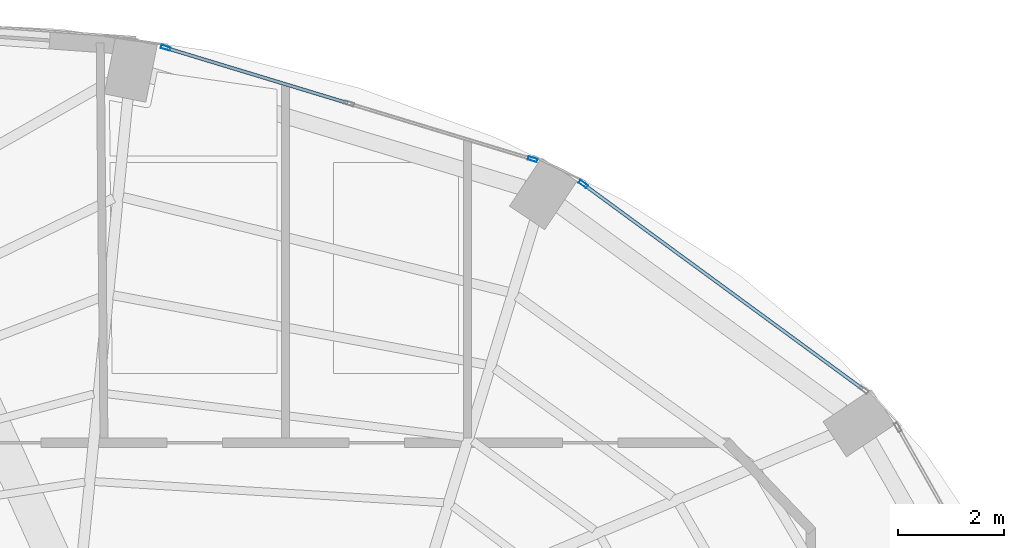
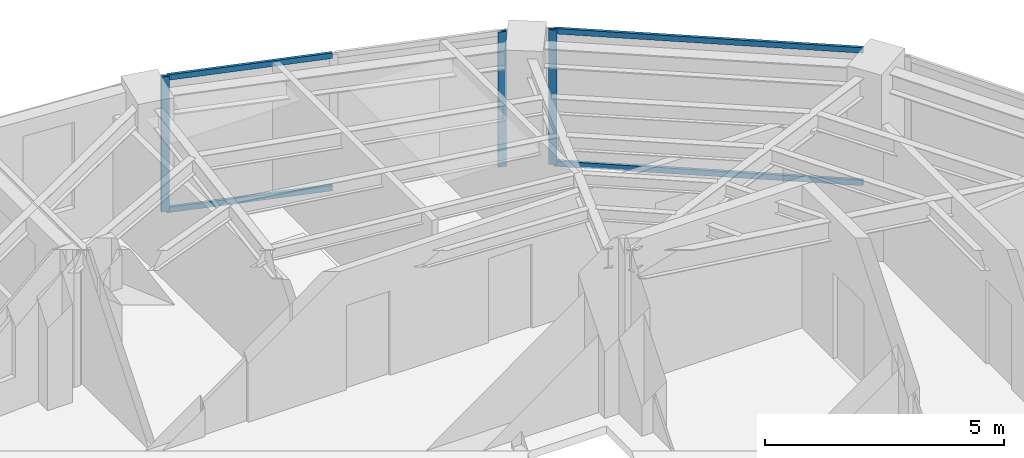
# One storey, part 15 of 21: 7 members, 2 elements without a shape of their own.
"""IFC4 building model written with IfcOpenShell, lengths in metres."""

from ifc_helpers import new_model, si_unit, direction, frame, origin, origin_2d, place, context, subcontext, project, spatial, hollow_rectangle, extrude, material, layer, layer_set, material_profile, profile_set, type_object, element, aggregate, save


model = new_model("IFC4")

# Units and contexts
model_context = context("Model", 3, precision=1e-05, world=origin(), true_north=direction((0.0, 1.0)))
body_context = subcontext(model_context, "Body", "Model", "MODEL_VIEW")
ifc_project = project(units=[si_unit("LENGTHUNIT", "METRE"), si_unit("AREAUNIT", "SQUARE_METRE"), si_unit("VOLUMEUNIT", "CUBIC_METRE"), si_unit("PLANEANGLEUNIT", "RADIAN"), si_unit("MASSUNIT", "GRAM", prefix="KILO")], contexts=[model_context])

# Site, building, storey
site_placement = place(None, origin())
site = spatial("IfcSite", under=ifc_project, at=site_placement, CompositionType="ELEMENT")
building_placement = place(site_placement, origin())
building = spatial("IfcBuilding", under=site, at=building_placement, Name="Lazwardi Medical Tower", CompositionType="ELEMENT")
storey_placement = place(building_placement, frame((0.0, 0.0, 220.367919921875)))
storey = spatial("IfcBuildingStorey", under=building, at=storey_placement, Name="L57", CompositionType="ELEMENT", Elevation=220.367919921875)

# Curtain wall, member
ifc_material_1 = material(Name="Anodised bronze aluminium and solar control glazing", Category="aluminium")
ifc_layer = layer(ifc_material_1, 0.18994140625)
ifc_layer_set = layer_set([ifc_layer], Name="Anodised bronze aluminium and solar control glazing")
curtain_wall_type = type_object("IfcCurtainWallType", Name="CW-SYS-04", PredefinedType="NOTDEFINED", material=ifc_layer_set)
curtain_wall_1_placement = place(storey_placement, origin())
curtain_wall_1 = element("IfcCurtainWall", 1, at=curtain_wall_1_placement, inside=storey, type_object=curtain_wall_type, Name="L57 Unitised bronze curtain wall CW-04", PredefinedType="NOTDEFINED")
ifc_material_2 = material(Name="Anodised bronze aluminium", Category="aluminium")
ifc_material_profile_1 = material_profile(ifc_material_2, hollow_rectangle(XDim=0.06494140625, YDim=0.179931640625, WallThickness=0.00390625, at=origin_2d()), Name="ALU-MULLION 180x65x4")
ifc_profile_set_1 = profile_set([ifc_material_profile_1], Name="Anodised bronze aluminium")
member_type_1 = type_object("IfcMemberType", Name="CW-MUL-03", PredefinedType="MULLION", material=ifc_profile_set_1)
member_1_placement = place(storey_placement, frame((48.75537109375, 43.634765625, 0.0), z_axis=(0.0, 0.0, 1.0), x_axis=(-0.591268230971, -0.806474971121, 0.0)))
member_1 = element("IfcMember", 2, at=member_1_placement, type_object=member_type_1, Name="CW-04 mullion 2", PredefinedType="MULLION", context=body_context, shape_type="SweptSolid", body=[
    extrude(hollow_rectangle(XDim=0.06494140625, YDim=0.179931640625, WallThickness=0.00390625, at=origin_2d()), origin(), (0.0, 0.0, 1.0), 3.447998046875),
])

# Curtain wall, members
curtain_wall_2_placement = place(storey_placement, origin())
curtain_wall_2 = element("IfcCurtainWall", 3, at=curtain_wall_2_placement, inside=storey, type_object=curtain_wall_type, Name="L57 Unitised bronze curtain wall CW-04", PredefinedType="NOTDEFINED")
member_2_placement = place(storey_placement, frame((47.7998046875, 44.103515625, 0.0), z_axis=(0.0, 0.0, 1.0), x_axis=(-0.290581889515, -0.956850126972, 0.0)))
member_2 = element("IfcMember", 4, at=member_2_placement, type_object=member_type_1, Name="CW-04 mullion 1", PredefinedType="MULLION", context=body_context, shape_type="SweptSolid", body=[
    extrude(hollow_rectangle(XDim=0.06494140625, YDim=0.179931640625, WallThickness=0.00390625, at=origin_2d()), origin(), (0.0, 0.0, 1.0), 3.447998046875),
])
member_3_placement = place(storey_placement, frame((40.873046875, 46.20703125, 0.0), z_axis=(0.0, 0.0, 1.0), x_axis=(-0.290581889515, -0.956850126972, 0.0)))
member_3 = element("IfcMember", 5, at=member_3_placement, type_object=member_type_1, Name="CW-04 mullion 3", PredefinedType="MULLION", context=body_context, shape_type="SweptSolid", body=[
    extrude(hollow_rectangle(XDim=0.06494140625, YDim=0.179931640625, WallThickness=0.00390625, at=origin_2d()), origin(), (0.0, 0.0, 1.0), 3.447998046875),
])

# Member
ifc_material_profile_2 = material_profile(ifc_material_2, hollow_rectangle(XDim=0.06494140625, YDim=0.139892578125, WallThickness=0.00341796875, at=origin_2d()), Name="ALU-TRANSOM 140x65x3.5")
ifc_profile_set_2 = profile_set([ifc_material_profile_2], Name="Anodised bronze aluminium")
member_type_2 = type_object("IfcMemberType", Name="CW-TRN-03", PredefinedType="USERDEFINED", material=ifc_profile_set_2)
member_4_placement = place(storey_placement, frame((54.02587890625, 39.770751953125, 0.032470703125), z_axis=(-0.806471831148, 0.591272513791, 0.0), x_axis=(-0.591272513791, -0.806471831148, 0.0)))
member_4 = element("IfcMember", 6, at=member_4_placement, type_object=member_type_2, Name="CW-04 transom 1.1", ObjectType="TRANSOM", PredefinedType="USERDEFINED", context=body_context, shape_type="SweptSolid", body=[
    extrude(hollow_rectangle(XDim=0.06494140625, YDim=0.139892578125, WallThickness=0.00341796875, at=origin_2d()), origin(), (0.0, 0.0, 1.0), 6.5029296875),
])

member_5_placement = place(storey_placement, frame((54.02587890625, 39.770751953125, 3.41552734375), z_axis=(-0.806471831148, 0.591272513791, 0.0), x_axis=(-0.591272513791, -0.806471831148, 0.0)))
member_5 = element("IfcMember", 7, at=member_5_placement, type_object=member_type_2, Name="CW-04 transom 1.2", ObjectType="TRANSOM", PredefinedType="USERDEFINED", context=body_context, shape_type="SweptSolid", body=[
    extrude(hollow_rectangle(XDim=0.06494140625, YDim=0.139892578125, WallThickness=0.00341796875, at=origin_2d()), origin(), (0.0, 0.0, 1.0), 6.5029296875),
])

aggregate(curtain_wall_1, [member_1, member_4, member_5])

member_6_placement = place(storey_placement, frame((44.305419921875, 45.164794921875, 0.032470703125), z_axis=(-0.956862505902, 0.290541124109, 0.0), x_axis=(-0.290541124109, -0.956862505902, 0.0)))
member_6 = element("IfcMember", 8, at=member_6_placement, type_object=member_type_2, Name="CW-04 transom 2.1", ObjectType="TRANSOM", PredefinedType="USERDEFINED", context=body_context, shape_type="SweptSolid", body=[
    extrude(hollow_rectangle(XDim=0.06494140625, YDim=0.139892578125, WallThickness=0.00341796875, at=origin_2d()), origin(), (0.0, 0.0, 1.0), 3.554443359375),
])

member_7_placement = place(storey_placement, frame((44.305419921875, 45.164794921875, 3.41552734375), z_axis=(-0.956862505902, 0.290541124109, 0.0), x_axis=(-0.290541124109, -0.956862505902, 0.0)))
member_7 = element("IfcMember", 9, at=member_7_placement, type_object=member_type_2, Name="CW-04 transom 2.2", ObjectType="TRANSOM", PredefinedType="USERDEFINED", context=body_context, shape_type="SweptSolid", body=[
    extrude(hollow_rectangle(XDim=0.06494140625, YDim=0.139892578125, WallThickness=0.00341796875, at=origin_2d()), origin(), (0.0, 0.0, 1.0), 3.554443359375),
])

aggregate(curtain_wall_2, [member_2, member_3, member_6, member_7])

save(model, "model.ifc")
